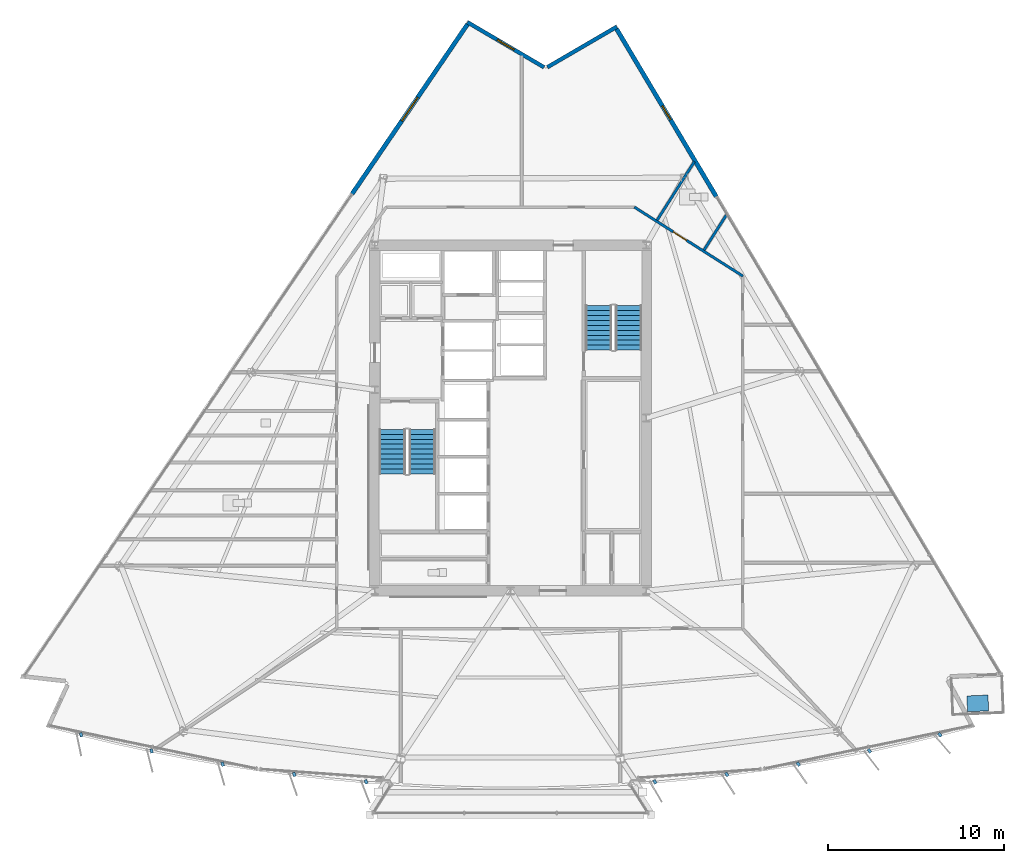
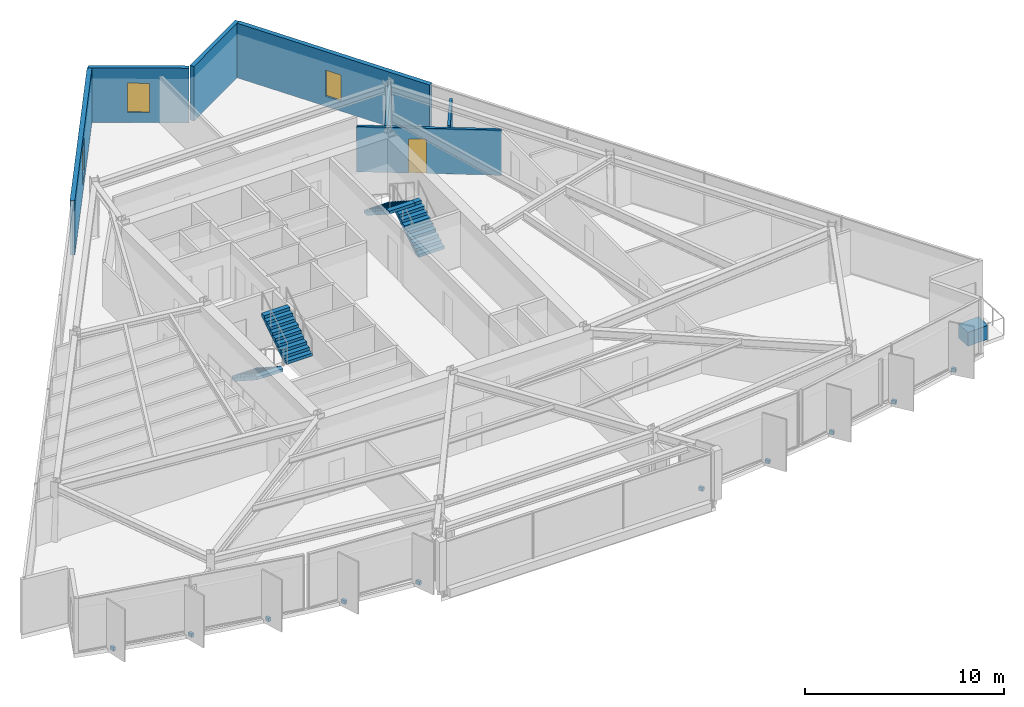
# One storey, part 10 of 15: 11 discrete accessories, 7 walls, 4 stair flights, 3 windows, 1 door, 4 openings, 2 elements without a shape of their own.
"""IFC4 building model written with IfcOpenShell, lengths in metres."""

from ifc_helpers import new_model, si_unit, direction, frame, frame_2d, origin, origin_2d, place, context, subcontext, project, spatial, polyline, rectangle, outline, extrude, material, layer, layer_set, type_object, element, fill, aggregate, save


model = new_model("IFC4")

# Units and contexts
model_context = context("Model", 3, precision=1e-05, world=origin(), true_north=direction((0.0, 1.0)))
body_context = subcontext(model_context, "Body", "Model", "MODEL_VIEW")
ifc_project = project(units=[si_unit("LENGTHUNIT", "METRE"), si_unit("AREAUNIT", "SQUARE_METRE"), si_unit("VOLUMEUNIT", "CUBIC_METRE"), si_unit("PLANEANGLEUNIT", "RADIAN"), si_unit("MASSUNIT", "GRAM", prefix="KILO")], contexts=[model_context])

# Site, building, storey
site_placement = place(None, origin())
site = spatial("IfcSite", under=ifc_project, at=site_placement, CompositionType="ELEMENT")
building_placement = place(site_placement, origin())
building = spatial("IfcBuilding", under=site, at=building_placement, Name="Savorim Split Tower", CompositionType="ELEMENT")
storey_placement = place(building_placement, frame((0.0, 0.0, 114.89990234375)))
storey = spatial("IfcBuildingStorey", under=building, at=storey_placement, Name="L30", CompositionType="ELEMENT", Elevation=114.89990234375)

# Wall
ifc_material_1 = material(Name="Precast concrete C40/50", Category="concrete")
ifc_layer_1 = layer(ifc_material_1, 0.219970703125)
ifc_layer_set_1 = layer_set([ifc_layer_1], Name="WAL-EXT-CRN220")
wall_type_1 = type_object("IfcWallType", Name="WAL-EXT-CRN220", PredefinedType="SOLIDWALL", material=ifc_layer_set_1)
wall_1_placement = place(storey_placement, frame((2.090087890625, 20.290771484375, 0.0), z_axis=(0.0, 0.0, 1.0), x_axis=(0.863978647835, 0.503528446153, 0.0)))
element("IfcWall", 1, at=wall_1_placement, inside=storey, type_object=wall_type_1, Name="L30 Notched Corner Facade Wall NE1", PredefinedType="SOLIDWALL", context=body_context, shape_type="SweptSolid", body=[
    extrude(rectangle(XDim=4.564453125, YDim=0.219970703125, at=frame_2d((2.2822265625, 0.0))), origin(), (0.0, 0.0, 1.0), 3.35009765625),
])

# Wall, opening, window
wall_2_placement = place(storey_placement, frame((-2.447021484375, 22.845703125, 0.0), z_axis=(0.0, 0.0, 1.0), x_axis=(0.8621357974, -0.506677280763, 0.0)))
wall_2 = element("IfcWall", 2, at=wall_2_placement, inside=storey, type_object=wall_type_1, Name="L30 Notched Corner Facade Wall N", PredefinedType="SOLIDWALL", context=body_context, shape_type="SweptSolid", body=[
    extrude(rectangle(XDim=5.0419921875, YDim=0.219970703125, at=frame_2d((2.52099609375, 0.0))), origin(), (0.0, 0.0, 1.0), 3.35009765625),
])
opening_1_placement = place(wall_2_placement, frame((1.970947265625, 0.0, 0.6201171875)))
opening_1 = element("IfcOpeningElement", 3, at=opening_1_placement, cuts=wall_2, Name="Opening WN-09", PredefinedType="OPENING", context=body_context, shape_type="SweptSolid", body=[
    extrude(rectangle(XDim=1.10009765625, YDim=1.800048828125, at=frame_2d((0.550048828125, 0.89990234375))), frame((0.0, 0.119873046875, 0.0), z_axis=(0.0, -1.0, 0.0), x_axis=(1.0, 0.0, 0.0)), (0.0, 0.0, 1.0), 0.239990234375),
])
ifc_material_2 = material(Name="Low-E Operable Double Glazing", Category="glass")
window_type_1 = type_object("IfcWindowType", Name="WIN-TWR-1100x1800", PartitioningType="SINGLE_PANEL", PredefinedType="WINDOW", material=ifc_material_2)
window_1_placement = place(opening_1_placement, origin())
window_1 = element("IfcWindow", 4, at=window_1_placement, inside=storey, type_object=window_type_1, Name="L30 Operable Corner Window N", OverallHeight=1.800048828125, OverallWidth=1.10009765625, PartitioningType="SINGLE_PANEL", PredefinedType="WINDOW", context=body_context, shape_type="SweptSolid", body=[
    extrude(rectangle(XDim=1.10009765625, YDim=1.800048828125, at=frame_2d((0.550048828125, 0.89990234375))), frame((0.0, 0.030029296875, 0.0), z_axis=(0.0, -1.0, 0.0), x_axis=(1.0, 0.0, 0.0)), (0.0, 0.0, 1.0), 0.06005859375),
])
fill(opening_1, window_1)

ifc_layer_2 = layer(ifc_material_1, 0.25)
ifc_layer_set_2 = layer_set([ifc_layer_2], Name="WAL-EXT-SPN250")
wall_type_2 = type_object("IfcWallType", Name="WAL-EXT-SPN250", PredefinedType="SOLIDWALL", material=ifc_layer_set_2)
wall_3_placement = place(storey_placement, frame((6.01708984375, 22.46240234375, 0.0), z_axis=(0.0, 0.0, 1.0), x_axis=(0.511085523564, -0.859529864288, 0.0)))
wall_3 = element("IfcWall", 5, at=wall_3_placement, inside=storey, type_object=wall_type_2, Name="L30 East Operable Window Pier", PredefinedType="SOLIDWALL", context=body_context, shape_type="SweptSolid", body=[
    extrude(rectangle(XDim=11.067626953125, YDim=0.25, at=frame_2d((5.53369140625, 0.0))), origin(), (0.0, 0.0, 1.0), 3.35009765625),
])
opening_2_placement = place(wall_3_placement, frame((5.083740234375, 0.0, 0.6201171875)))
opening_2 = element("IfcOpeningElement", 6, at=opening_2_placement, cuts=wall_3, Name="Opening WN-10", PredefinedType="OPENING", context=body_context, shape_type="SweptSolid", body=[
    extrude(rectangle(XDim=0.89990234375, YDim=1.60009765625, at=frame_2d((0.449951171875, 0.800048828125))), frame((0.0, 0.135009765625, 0.0), z_axis=(0.0, -1.0, 0.0), x_axis=(1.0, 0.0, 0.0)), (0.0, 0.0, 1.0), 0.27001953125),
])
window_type_2 = type_object("IfcWindowType", Name="WIN-TWR-900x1600", PartitioningType="SINGLE_PANEL", PredefinedType="WINDOW", material=ifc_material_2)
window_2_placement = place(opening_2_placement, origin())
window_2 = element("IfcWindow", 7, at=window_2_placement, inside=storey, type_object=window_type_2, Name="L30 East Operable Ventilation Window", OverallHeight=1.60009765625, OverallWidth=0.89990234375, PartitioningType="SINGLE_PANEL", PredefinedType="WINDOW", context=body_context, shape_type="SweptSolid", body=[
    extrude(rectangle(XDim=0.89990234375, YDim=1.60009765625, at=frame_2d((0.449951171875, 0.800048828125))), frame((0.0, 0.030029296875, 0.0), z_axis=(0.0, -1.0, 0.0), x_axis=(1.0, 0.0, 0.0)), (0.0, 0.0, 1.0), 0.06005859375),
])
fill(opening_2, window_2)

wall_4_placement = place(storey_placement, frame((-8.98388671875, 13.1083984375, 0.0), z_axis=(0.0, 0.0, 1.0), x_axis=(0.562459365703, 0.826824928225, 0.0)))
wall_4 = element("IfcWall", 8, at=wall_4_placement, inside=storey, type_object=wall_type_2, Name="L30 West Operable Window Pier", PredefinedType="SOLIDWALL", context=body_context, shape_type="SweptSolid", body=[
    extrude(rectangle(XDim=11.625, YDim=0.25, at=frame_2d((5.8125, 0.0))), origin(), (0.0, 0.0, 1.0), 3.35009765625),
])
opening_3_placement = place(wall_4_placement, frame((5.012451171875, 0.0, 0.6201171875)))
opening_3 = element("IfcOpeningElement", 9, at=opening_3_placement, cuts=wall_4, Name="Opening WN-05", PredefinedType="OPENING", context=body_context, shape_type="SweptSolid", body=[
    extrude(rectangle(XDim=1.60009765625, YDim=2.10009765625, at=frame_2d((0.800048828125, 1.050048828125))), frame((0.0, 0.135009765625, 0.0), z_axis=(0.0, -1.0, 0.0), x_axis=(1.0, 0.0, 0.0)), (0.0, 0.0, 1.0), 0.27001953125),
])
window_type_3 = type_object("IfcWindowType", Name="WIN-TWR-1600x2100", PartitioningType="DOUBLE_PANEL_VERTICAL", PredefinedType="WINDOW", material=ifc_material_2)
window_3_placement = place(opening_3_placement, origin())
window_3 = element("IfcWindow", 10, at=window_3_placement, inside=storey, type_object=window_type_3, Name="L30 West Operable Ventilation Window", OverallHeight=2.10009765625, OverallWidth=1.60009765625, PartitioningType="SINGLE_PANEL", PredefinedType="WINDOW", context=body_context, shape_type="SweptSolid", body=[
    extrude(rectangle(XDim=1.60009765625, YDim=2.10009765625, at=frame_2d((0.800048828125, 1.050048828125))), frame((0.0, 0.030029296875, 0.0), z_axis=(0.0, -1.0, 0.0), x_axis=(1.0, 0.0, 0.0)), (0.0, 0.0, 1.0), 0.06005859375),
])
fill(opening_3, window_3)

# Wall, opening, door
ifc_material_3 = material(Name="Acoustic Gypsum Partition Board")
ifc_layer_3 = layer(ifc_material_3, 0.14990234375)
ifc_layer_set_3 = layer_set([ifc_layer_3], Name="WAL-PAR-150")
wall_type_3 = type_object("IfcWallType", Name="WAL-PAR-150", PredefinedType="PARTITIONING", material=ifc_layer_set_3)
wall_5_placement = place(storey_placement, frame((7.023193359375, 12.360107421875, 0.0), z_axis=(0.0, 0.0, 1.0), x_axis=(0.84376480085, -0.536713108511, 0.0)))
wall_5 = element("IfcWall", 11, at=wall_5_placement, inside=storey, type_object=wall_type_3, Name="L30 Partition W-L30-COR-04", PredefinedType="PARTITIONING", context=body_context, shape_type="SweptSolid", body=[
    extrude(rectangle(XDim=7.296630859375, YDim=0.14990234375, at=frame_2d((3.6484375, 0.0))), origin(), (0.0, 0.0, 1.0), 2.775146484375),
])
opening_4_placement = place(wall_5_placement, frame((2.61669921875, 0.0, 0.0)))
opening_4 = element("IfcOpeningElement", 12, at=opening_4_placement, cuts=wall_5, Name="Opening DI-11", PredefinedType="OPENING", context=body_context, shape_type="SweptSolid", body=[
    extrude(rectangle(XDim=0.89990234375, YDim=2.10009765625, at=frame_2d((0.449951171875, 1.050048828125))), frame((0.0, 0.0849609375, 0.0), z_axis=(0.0, -1.0, 0.0), x_axis=(1.0, 0.0, 0.0)), (0.0, 0.0, 1.0), 0.169921875),
])
ifc_material_4 = material(Name="Oak Veneer Acoustic Door")
door_type = type_object("IfcDoorType", Name="DOR-WC-900", OperationType="NOTDEFINED", PredefinedType="DOOR", material=ifc_material_4)
door_placement = place(opening_4_placement, origin())
door = element("IfcDoor", 13, at=door_placement, inside=storey, type_object=door_type, Name="DR-L30-RM16 - L30 Shared Bathroom Entry Door", OperationType="SINGLE_SWING_LEFT", OverallHeight=2.10009765625, OverallWidth=0.89990234375, PredefinedType="DOOR", context=body_context, shape_type="SweptSolid", body=[
    extrude(rectangle(XDim=0.89990234375, YDim=2.10009765625, at=frame_2d((0.449951171875, 1.050048828125))), frame((0.0, 0.02490234375, 0.0), z_axis=(0.0, -1.0, 0.0), x_axis=(1.0, 0.0, 0.0)), (0.0, 0.0, 1.0), 0.050048828125),
])
fill(opening_4, door)

# Walls
wall_6_placement = place(storey_placement, frame((8.3134765625, 11.610595703125, 0.0), z_axis=(0.0, 0.0, 1.0), x_axis=(0.536683331262, 0.843783741219, 0.0)))
element("IfcWall", 14, at=wall_6_placement, inside=storey, type_object=wall_type_3, Name="L30 Partition W-L30-PRAD07", PredefinedType="PARTITIONING", context=body_context, shape_type="SweptSolid", body=[
    extrude(rectangle(XDim=3.9462890625, YDim=0.14990234375, at=frame_2d((1.97314453125, 0.0))), origin(), (0.0, 0.0, 1.0), 2.775146484375),
])
wall_7_placement = place(storey_placement, frame((10.972900390625, 9.9189453125, 0.0), z_axis=(0.0, 0.0, 1.0), x_axis=(0.536694294015, 0.843776768329, 0.0)))
element("IfcWall", 15, at=wall_7_placement, inside=storey, type_object=wall_type_3, Name="L30 Partition W-L30-SUB02", PredefinedType="PARTITIONING", context=body_context, shape_type="SweptSolid", body=[
    extrude(rectangle(XDim=2.35400390625, YDim=0.14990234375, at=frame_2d((1.177001953125, 0.0))), origin(), (0.0, 0.0, 1.0), 2.885009765625),
])

# Stair, stair flights
ifc_material_5 = material(Name="Concrete C50/60", Category="concrete")
stair_type = type_object("IfcStairType", Name="STR-DOG-3600", PredefinedType="HALF_TURN_STAIR", material=ifc_material_5)
stair_1_placement = place(storey_placement, origin())
stair_1 = element("IfcStair", 16, at=stair_1_placement, inside=storey, type_object=stair_type, Name="L30 Core Protected Exit Stair ST-1", PredefinedType="HALF_TURN_STAIR")
stair_flight_type = type_object("IfcStairFlightType", Name="SFL-DOG-3600", PredefinedType="STRAIGHT", material=ifc_material_5)
stair_flight_1_placement = place(storey_placement, frame((-6.699951171875, -0.25, 0.0), z_axis=(0.0, 0.0, 1.0), x_axis=(0.0, -1.0, 0.0)))
stair_flight_1 = element("IfcStairFlight", 17, at=stair_flight_1_placement, type_object=stair_flight_type, Name="ST-1 flight 1", NumberOfRisers=10, NumberOfTreads=9, PredefinedType="STRAIGHT", RiserHeight=0.18, TreadLength=0.28, context=body_context, shape_type="SweptSolid", body=[
    extrude(outline(polyline([(0.0, 0.0), (0.0, 0.179931640625), (0.280029296875, 0.179931640625), (0.280029296875, 0.360107421875), (0.56005859375, 0.360107421875), (0.56005859375, 0.5400390625), (0.840087890625, 0.5400390625), (0.840087890625, 0.719970703125), (1.1201171875, 0.719970703125), (1.1201171875, 0.89990234375), (1.39990234375, 0.89990234375), (1.39990234375, 1.080078125), (1.679931640625, 1.080078125), (1.679931640625, 1.260009765625), (1.9599609375, 1.260009765625), (1.9599609375, 1.43994140625), (2.239990234375, 1.43994140625), (2.239990234375, 1.6201171875), (2.52001953125, 1.6201171875), (2.52001953125, 1.800048828125), (2.52001953125, 1.44189453125), (0.277099609375, 0.0), (0.0, 0.0)])), frame((0.0, 0.75, 0.0), z_axis=(0.0, -1.0, 0.0), x_axis=(1.0, 0.0, 0.0)), (0.0, 0.0, 1.0), 1.5),
])
stair_flight_2_placement = place(storey_placement, frame((-5.0, -2.77001953125, 1.800048828125), z_axis=(0.0, 0.0, 1.0), x_axis=(0.0, 1.0, 0.0)))
stair_flight_2 = element("IfcStairFlight", 18, at=stair_flight_2_placement, type_object=stair_flight_type, Name="ST-1 flight 2", NumberOfRisers=10, NumberOfTreads=9, PredefinedType="STRAIGHT", RiserHeight=0.18, TreadLength=0.28, context=body_context, shape_type="SweptSolid", body=[
    extrude(outline(polyline([(0.0, 0.0), (0.0, 0.179931640625), (0.280029296875, 0.179931640625), (0.280029296875, 0.360107421875), (0.56005859375, 0.360107421875), (0.56005859375, 0.5400390625), (0.840087890625, 0.5400390625), (0.840087890625, 0.719970703125), (1.1201171875, 0.719970703125), (1.1201171875, 0.89990234375), (1.39990234375, 0.89990234375), (1.39990234375, 1.080078125), (1.679931640625, 1.080078125), (1.679931640625, 1.260009765625), (1.9599609375, 1.260009765625), (1.9599609375, 1.43994140625), (2.239990234375, 1.43994140625), (2.239990234375, 1.6201171875), (2.52001953125, 1.6201171875), (2.52001953125, 1.800048828125), (2.52001953125, 1.44189453125), (0.277099609375, 0.0), (0.0, 0.0)])), frame((0.0, 0.75, 0.0), z_axis=(0.0, -1.0, 0.0), x_axis=(1.0, 0.0, 0.0)), (0.0, 0.0, 1.0), 1.5),
])
aggregate(stair_1, [stair_flight_1, stair_flight_2])

stair_2_placement = place(storey_placement, origin())
stair_2 = element("IfcStair", 19, at=stair_2_placement, inside=storey, type_object=stair_type, Name="L30 Core Protected Exit Stair ST-2", PredefinedType="HALF_TURN_STAIR")
stair_flight_3_placement = place(storey_placement, frame((6.699951171875, 4.25, 0.0), z_axis=(0.0, 0.0, 1.0), x_axis=(0.0, 1.0, 0.0)))
stair_flight_3 = element("IfcStairFlight", 20, at=stair_flight_3_placement, type_object=stair_flight_type, Name="ST-2 flight 1", NumberOfRisers=10, NumberOfTreads=9, PredefinedType="STRAIGHT", RiserHeight=0.18, TreadLength=0.28, context=body_context, shape_type="SweptSolid", body=[
    extrude(outline(polyline([(0.0, 0.0), (0.0, 0.179931640625), (0.280029296875, 0.179931640625), (0.280029296875, 0.360107421875), (0.56005859375, 0.360107421875), (0.56005859375, 0.5400390625), (0.840087890625, 0.5400390625), (0.840087890625, 0.719970703125), (1.1201171875, 0.719970703125), (1.1201171875, 0.89990234375), (1.39990234375, 0.89990234375), (1.39990234375, 1.080078125), (1.679931640625, 1.080078125), (1.679931640625, 1.260009765625), (1.9599609375, 1.260009765625), (1.9599609375, 1.43994140625), (2.239990234375, 1.43994140625), (2.239990234375, 1.6201171875), (2.52001953125, 1.6201171875), (2.52001953125, 1.800048828125), (2.52001953125, 1.44189453125), (0.277099609375, 0.0), (0.0, 0.0)])), frame((0.0, 0.75, 0.0), z_axis=(0.0, -1.0, 0.0), x_axis=(1.0, 0.0, 0.0)), (0.0, 0.0, 1.0), 1.5),
])
stair_flight_4_placement = place(storey_placement, frame((5.0, 6.77001953125, 1.800048828125), z_axis=(0.0, 0.0, 1.0), x_axis=(0.0, -1.0, 0.0)))
stair_flight_4 = element("IfcStairFlight", 21, at=stair_flight_4_placement, type_object=stair_flight_type, Name="ST-2 flight 2", NumberOfRisers=10, NumberOfTreads=9, PredefinedType="STRAIGHT", RiserHeight=0.18, TreadLength=0.28, context=body_context, shape_type="SweptSolid", body=[
    extrude(outline(polyline([(0.0, 0.0), (0.0, 0.179931640625), (0.280029296875, 0.179931640625), (0.280029296875, 0.360107421875), (0.56005859375, 0.360107421875), (0.56005859375, 0.5400390625), (0.840087890625, 0.5400390625), (0.840087890625, 0.719970703125), (1.1201171875, 0.719970703125), (1.1201171875, 0.89990234375), (1.39990234375, 0.89990234375), (1.39990234375, 1.080078125), (1.679931640625, 1.080078125), (1.679931640625, 1.260009765625), (1.9599609375, 1.260009765625), (1.9599609375, 1.43994140625), (2.239990234375, 1.43994140625), (2.239990234375, 1.6201171875), (2.52001953125, 1.6201171875), (2.52001953125, 1.800048828125), (2.52001953125, 1.44189453125), (0.277099609375, 0.0), (0.0, 0.0)])), frame((0.0, 0.75, 0.0), z_axis=(0.0, -1.0, 0.0), x_axis=(1.0, 0.0, 0.0)), (0.0, 0.0, 1.0), 1.5),
])
aggregate(stair_2, [stair_flight_3, stair_flight_4])

# Discrete accessories
ifc_material_6 = material(Name="Steel S355", Category="steel")
discrete_accessory_type_1 = type_object("IfcDiscreteAccessoryType", Name="ACC-BRK-FIN", PredefinedType="BRACKET", material=ifc_material_6)
for number, where, z_axis, x_axis, name in (
    (22, (-24.35107421875, -17.566162109375, -0.18994140625), (0.0, 0.0, 1.0), (0.206721626106, -0.978399800337, 0.0), "L30 Fin Slab-Edge Cleat Bracket 01"),
    (23, (-20.355224609375, -18.481201171875, -0.18994140625), (0.0, 0.0, 1.0), (0.246581250663, -0.969122121727, 0.0), "L30 Fin Slab-Edge Cleat Bracket 02"),
    (24, (-16.3251953125, -19.23193359375, -0.18994140625), (0.0, 0.0, 1.0), (0.286026212504, -0.958221793616, 0.0), "L30 Fin Slab-Edge Cleat Bracket 03"),
    (25, (-12.267822265625, -19.817138671875, -0.18994140625), (0.0, 0.0, 1.0), (0.324993810493, -0.945716143005, 0.0), "L30 Fin Slab-Edge Cleat Bracket 04"),
    (26, (-8.18994140625, -20.23583984375, -0.18994140625), (0.0, 0.0, 1.0), (0.363415461732, -0.931627179817, 0.0), "L30 Fin Slab-Edge Cleat Bracket 05"),
    (27, (8.18994140625, -20.23583984375, -0.18994140625), (0.0, 0.0, 1.0), (0.510391336723, -0.859942255851, 0.0), "L30 Fin Slab-Edge Cleat Bracket 09"),
    (28, (12.267822265625, -19.817138671875, -0.18994140625), (0.0, 0.0, 1.0), (0.545148321708, -0.838339613366, 0.0), "L30 Fin Slab-Edge Cleat Bracket 10"),
    (29, (16.3251953125, -19.23193359375, -0.18994140625), (0.0, 0.0, 1.0), (0.578993757737, -0.815331974414, 0.0), "L30 Fin Slab-Edge Cleat Bracket 11"),
    (30, (20.355224609375, -18.481201171875, -0.18994140625), (0.0, 0.0, 1.0), (0.611868076908, -0.790959832394, 0.0), "L30 Fin Slab-Edge Cleat Bracket 12"),
    (31, (24.35107421875, -17.566162109375, -0.18994140625), (0.0, 0.0, 1.0), (0.643719022682, -0.765261928909, 0.0), "L30 Fin Slab-Edge Cleat Bracket 13"),
):
    element("IfcDiscreteAccessory", number, at=place(storey_placement, frame(where, z_axis=z_axis, x_axis=x_axis)), inside=storey, type_object=discrete_accessory_type_1, Name=name, PredefinedType="BRACKET", context=body_context, shape_type="SweptSolid", body=[
        extrude(rectangle(XDim=0.239990234375, YDim=0.159912109375, at=origin_2d()), origin(), (0.0, 0.0, 1.0), 0.219970703125),
    ])
ifc_material_7 = material(Name="Architectural Precast Planter Concrete C40/50", Category="concrete")
discrete_accessory_type_2 = type_object("IfcDiscreteAccessoryType", Name="ACC-PLN-TREE", PredefinedType="USERDEFINED", material=ifc_material_7)
discrete_accessory_placement = place(storey_placement, frame((26.499267578125, -15.7880859375, 0.0), z_axis=(0.0, 0.0, 1.0), x_axis=(0.999096618338, 0.042496437801, 0.0)))
element("IfcDiscreteAccessory", 32, at=discrete_accessory_placement, inside=storey, type_object=discrete_accessory_type_2, Name="L30 Balcony Precast Tree Planter SE", ObjectType="PLANTER", PredefinedType="USERDEFINED", context=body_context, shape_type="SweptSolid", body=[
    extrude(rectangle(XDim=1.199951171875, YDim=0.89990234375, at=origin_2d()), origin(), (0.0, 0.0, 1.0), 0.85009765625),
])

save(model, "model.ifc")
